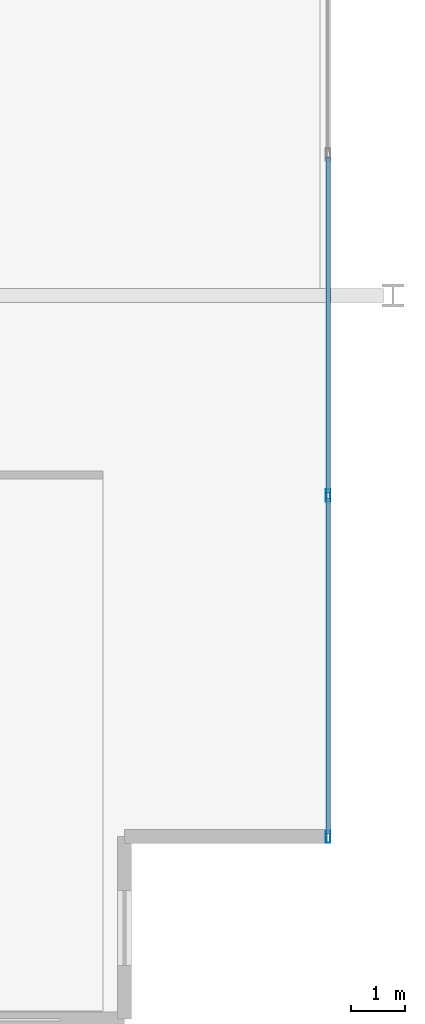
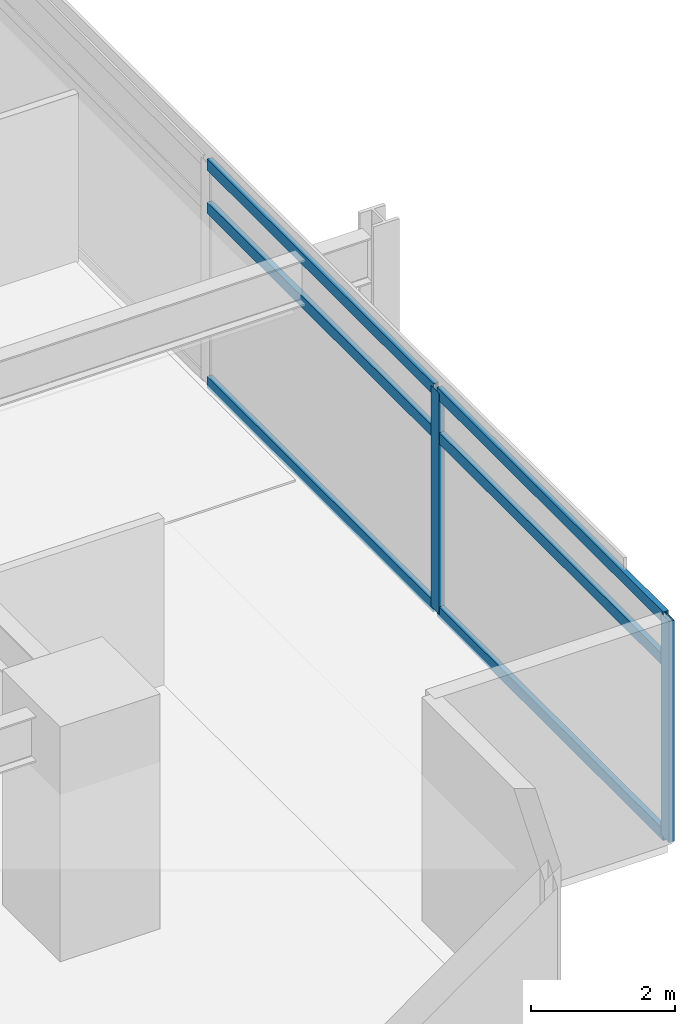
# One storey, part 2 of 23: 8 members, 1 element without a shape of its own.
"""IFC4 building model written with IfcOpenShell, lengths in metres."""

from ifc_helpers import new_model, si_unit, direction, frame, origin, origin_2d, place, context, subcontext, project, spatial, hollow_rectangle, extrude, material, material_profile, profile_set, type_object, element, aggregate, save


model = new_model("IFC4")

# Units and contexts
model_context = context("Model", 3, precision=1e-05, world=origin(), true_north=direction((0.0, 1.0)))
body_context = subcontext(model_context, "Body", "Model", "MODEL_VIEW")
ifc_project = project(units=[si_unit("LENGTHUNIT", "METRE"), si_unit("AREAUNIT", "SQUARE_METRE"), si_unit("VOLUMEUNIT", "CUBIC_METRE"), si_unit("PLANEANGLEUNIT", "RADIAN"), si_unit("MASSUNIT", "GRAM", prefix="KILO")], contexts=[model_context])

# Site, building, storey
site_placement = place(None, origin())
site = spatial("IfcSite", under=ifc_project, at=site_placement, CompositionType="ELEMENT")
building_placement = place(site_placement, origin())
building = spatial("IfcBuilding", under=site, at=building_placement, Name="Kovane Verandah Tower", CompositionType="ELEMENT")
storey_placement = place(building_placement, frame((0.0, 0.0, 136.39990234375)))
storey = spatial("IfcBuildingStorey", under=building, at=storey_placement, Name="L31", CompositionType="ELEMENT", Elevation=136.39990234375)

# Curtain wall, members
ifc_material_1 = material(Name="Champagne Anodised Aluminium Frame with Low-E Clear Laminated Glass", Category="aluminium")
curtain_wall_type = type_object("IfcCurtainWallType", Name="CW-SYS-03-MID", PredefinedType="NOTDEFINED", material=ifc_material_1)
curtain_wall_placement = place(storey_placement, origin())
curtain_wall = element("IfcCurtainWall", 1, at=curtain_wall_placement, inside=storey, type_object=curtain_wall_type, Name="L31 E Unitised Curtain Wall", PredefinedType="NOTDEFINED")
ifc_material_2 = material(Name="Champagne Anodised Aluminium 6063-T6", Category="aluminium")
ifc_material_profile_1 = material_profile(ifc_material_2, hollow_rectangle(XDim=0.0849609375, YDim=0.22998046875, WallThickness=0.00390625, at=origin_2d()), Name="AL85x230x4")
ifc_profile_set_1 = profile_set([ifc_material_profile_1], Name="Champagne Anodised Aluminium 6063-T6")
member_type_1 = type_object("IfcMemberType", Name="CW-MUL-85x230", PredefinedType="MULLION", material=ifc_profile_set_1)
member_1_placement = place(storey_placement, frame((66.3896484375, 8.3994140625, 0.02001953125), z_axis=(0.0, 0.0, 1.0), x_axis=(1.0, 0.0, 0.0)))
member_1 = element("IfcMember", 2, at=member_1_placement, type_object=member_type_1, Name="L31 E Unitised Curtain Wall Mullion 1", PredefinedType="MULLION", context=body_context, shape_type="SweptSolid", body=[
    extrude(hollow_rectangle(XDim=0.0849609375, YDim=0.22998046875, WallThickness=0.00390625, at=origin_2d()), origin(), (0.0, 0.0, 1.0), 3.735107421875),
])
member_2_placement = place(storey_placement, frame((66.3896484375, 14.766357421875, 0.02001953125), z_axis=(0.0, 0.0, 1.0), x_axis=(1.0, 0.0, 0.0)))
member_2 = element("IfcMember", 3, at=member_2_placement, type_object=member_type_1, Name="L31 E Unitised Curtain Wall Mullion 2", PredefinedType="MULLION", context=body_context, shape_type="SweptSolid", body=[
    extrude(hollow_rectangle(XDim=0.0849609375, YDim=0.22998046875, WallThickness=0.00390625, at=origin_2d()), origin(), (0.0, 0.0, 1.0), 3.735107421875),
])
ifc_material_profile_2 = material_profile(ifc_material_2, hollow_rectangle(XDim=0.0849609375, YDim=0.18994140625, WallThickness=0.00390625, at=origin_2d()), Name="AL85x190x4")
ifc_profile_set_2 = profile_set([ifc_material_profile_2], Name="Champagne Anodised Aluminium 6063-T6")
member_type_2 = type_object("IfcMemberType", Name="CW-TRN-85x190", PredefinedType="USERDEFINED", material=ifc_profile_set_2)
member_3_placement = place(storey_placement, frame((66.3896484375, 8.449462890625, 0.050048828125), z_axis=(0.0, 1.0, 0.0), x_axis=(-1.0, 0.0, 0.0)))
member_3 = element("IfcMember", 4, at=member_3_placement, type_object=member_type_2, Name="L31 E Unitised Curtain Wall Transom TB Bay 1", ObjectType="TRANSOM", PredefinedType="USERDEFINED", context=body_context, shape_type="SweptSolid", body=[
    extrude(hollow_rectangle(XDim=0.0849609375, YDim=0.18994140625, WallThickness=0.00390625, at=origin_2d()), origin(), (0.0, 0.0, 1.0), 6.266845703125),
])
member_4_placement = place(storey_placement, frame((66.3896484375, 8.449462890625, 2.9951171875), z_axis=(0.0, 1.0, 0.0), x_axis=(-1.0, 0.0, 0.0)))
member_4 = element("IfcMember", 5, at=member_4_placement, type_object=member_type_2, Name="L31 E Unitised Curtain Wall Transom TM Bay 1", ObjectType="TRANSOM", PredefinedType="USERDEFINED", context=body_context, shape_type="SweptSolid", body=[
    extrude(hollow_rectangle(XDim=0.0849609375, YDim=0.18994140625, WallThickness=0.00390625, at=origin_2d()), origin(), (0.0, 0.0, 1.0), 6.266845703125),
])
member_5_placement = place(storey_placement, frame((66.3896484375, 8.449462890625, 3.72509765625), z_axis=(0.0, 1.0, 0.0), x_axis=(-1.0, 0.0, 0.0)))
member_5 = element("IfcMember", 6, at=member_5_placement, type_object=member_type_2, Name="L31 E Unitised Curtain Wall Transom TT Bay 1", ObjectType="TRANSOM", PredefinedType="USERDEFINED", context=body_context, shape_type="SweptSolid", body=[
    extrude(hollow_rectangle(XDim=0.0849609375, YDim=0.18994140625, WallThickness=0.00390625, at=origin_2d()), origin(), (0.0, 0.0, 1.0), 6.266845703125),
])
member_6_placement = place(storey_placement, frame((66.3896484375, 14.81640625, 0.050048828125), z_axis=(0.0, 1.0, 0.0), x_axis=(-1.0, 0.0, 0.0)))
member_6 = element("IfcMember", 7, at=member_6_placement, type_object=member_type_2, Name="L31 E Unitised Curtain Wall Transom TB Bay 2", ObjectType="TRANSOM", PredefinedType="USERDEFINED", context=body_context, shape_type="SweptSolid", body=[
    extrude(hollow_rectangle(XDim=0.0849609375, YDim=0.18994140625, WallThickness=0.00390625, at=origin_2d()), origin(), (0.0, 0.0, 1.0), 6.266845703125),
])
member_7_placement = place(storey_placement, frame((66.3896484375, 14.81640625, 2.9951171875), z_axis=(0.0, 1.0, 0.0), x_axis=(-1.0, 0.0, 0.0)))
member_7 = element("IfcMember", 8, at=member_7_placement, type_object=member_type_2, Name="L31 E Unitised Curtain Wall Transom TM Bay 2", ObjectType="TRANSOM", PredefinedType="USERDEFINED", context=body_context, shape_type="SweptSolid", body=[
    extrude(hollow_rectangle(XDim=0.0849609375, YDim=0.18994140625, WallThickness=0.00390625, at=origin_2d()), origin(), (0.0, 0.0, 1.0), 6.266845703125),
])
member_8_placement = place(storey_placement, frame((66.3896484375, 14.81640625, 3.72509765625), z_axis=(0.0, 1.0, 0.0), x_axis=(-1.0, 0.0, 0.0)))
member_8 = element("IfcMember", 9, at=member_8_placement, type_object=member_type_2, Name="L31 E Unitised Curtain Wall Transom TT Bay 2", ObjectType="TRANSOM", PredefinedType="USERDEFINED", context=body_context, shape_type="SweptSolid", body=[
    extrude(hollow_rectangle(XDim=0.0849609375, YDim=0.18994140625, WallThickness=0.00390625, at=origin_2d()), origin(), (0.0, 0.0, 1.0), 6.266845703125),
])
aggregate(curtain_wall, [member_1, member_2, member_3, member_4, member_5, member_6, member_7, member_8])

save(model, "model.ifc")
